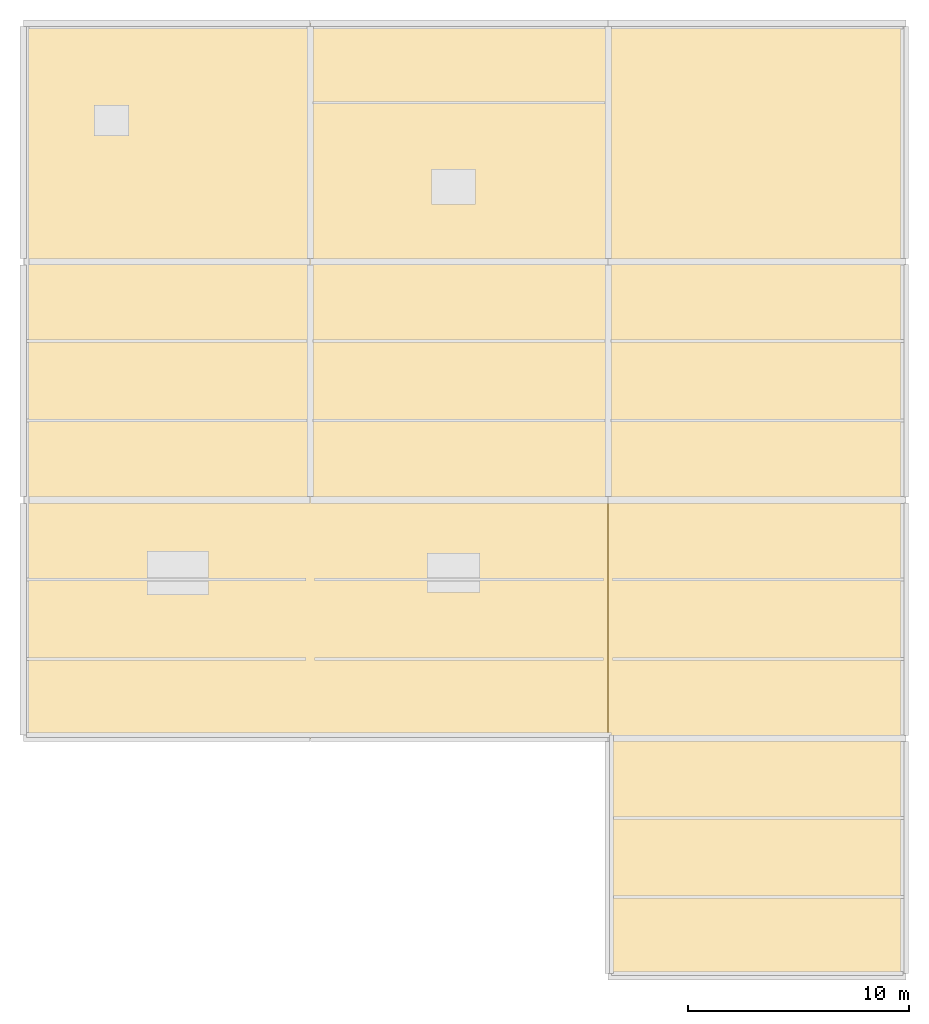
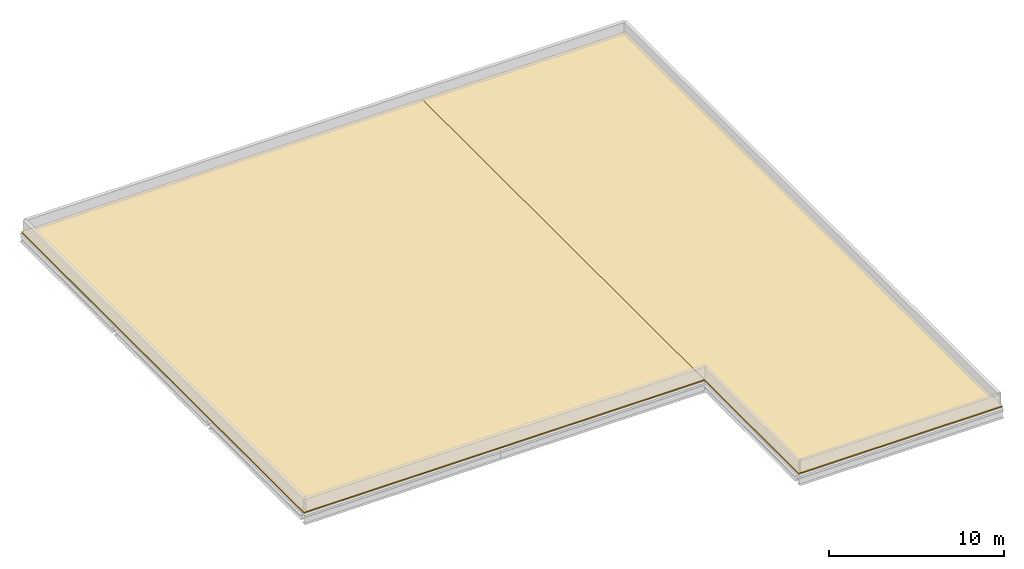
# One storey, part 2 of 2: 2 coverings.
"""IFC4 building model written with IfcOpenShell, lengths in metres."""

from ifc_helpers import new_model, si_unit, direction, frame, origin, place, context, subcontext, project, spatial, polyline, outline, extrude, material, layer, layer_set, type_object, element, save


model = new_model("IFC4")

# Units and contexts
model_context = context("Model", 3, precision=1e-05, world=origin(), true_north=direction((0.0, 1.0)))
body_context = subcontext(model_context, "Body", "Model", "MODEL_VIEW")
ifc_project = project(units=[si_unit("LENGTHUNIT", "METRE"), si_unit("AREAUNIT", "SQUARE_METRE"), si_unit("VOLUMEUNIT", "CUBIC_METRE"), si_unit("PLANEANGLEUNIT", "RADIAN"), si_unit("MASSUNIT", "GRAM", prefix="KILO")], contexts=[model_context])

# Site, building, storey
site_placement = place(None, origin())
site = spatial("IfcSite", under=ifc_project, at=site_placement, CompositionType="ELEMENT")
building_placement = place(site_placement, origin())
building = spatial("IfcBuilding", under=site, at=building_placement, Name="Tamarisk Ironworks Central Station", CompositionType="ELEMENT")
storey_placement = place(building_placement, frame((0.0, 0.0, 30.60009765625)))
storey = spatial("IfcBuildingStorey", under=building, at=storey_placement, Name="Roof", CompositionType="ELEMENT", Elevation=30.60009765625)

# Coverings
ifc_material = material(Name="Standing-seam zinc-aluminium roofing", Category="aluminium")
ifc_layer = layer(ifc_material, 0.080078125)
ifc_layer_set = layer_set([ifc_layer], Name="Standing-seam zinc-aluminium roofing")
covering_type = type_object("IfcCoveringType", Name="COV-ROOF", PredefinedType="ROOFING", material=ifc_layer_set)
covering_1_placement = place(storey_placement, origin())
element("IfcCovering", 1, at=covering_1_placement, inside=storey, type_object=covering_type, Name="Standing-seam zinc roof covering HI-W", PredefinedType="ROOFING", context=body_context, shape_type="SweptSolid", body=[
    extrude(outline(polyline([(140.0, 90.0), (166.5, 90.0), (166.5, 122.39990234375), (140.0, 122.39990234375), (140.0, 90.0)])), origin(), (0.0, 0.0, 1.0), 0.079833984375),
])
covering_2_placement = place(storey_placement, origin())
element("IfcCovering", 2, at=covering_2_placement, inside=storey, type_object=covering_type, Name="Standing-seam zinc roof covering HI-E", PredefinedType="ROOFING", context=body_context, shape_type="SweptSolid", body=[
    extrude(outline(polyline([(166.5, 79.199951171875), (180.0, 79.199951171875), (180.0, 122.39990234375), (166.5, 122.39990234375), (166.5, 79.199951171875)])), origin(), (0.0, 0.0, 1.0), 0.079833984375),
])

save(model, "model.ifc")
